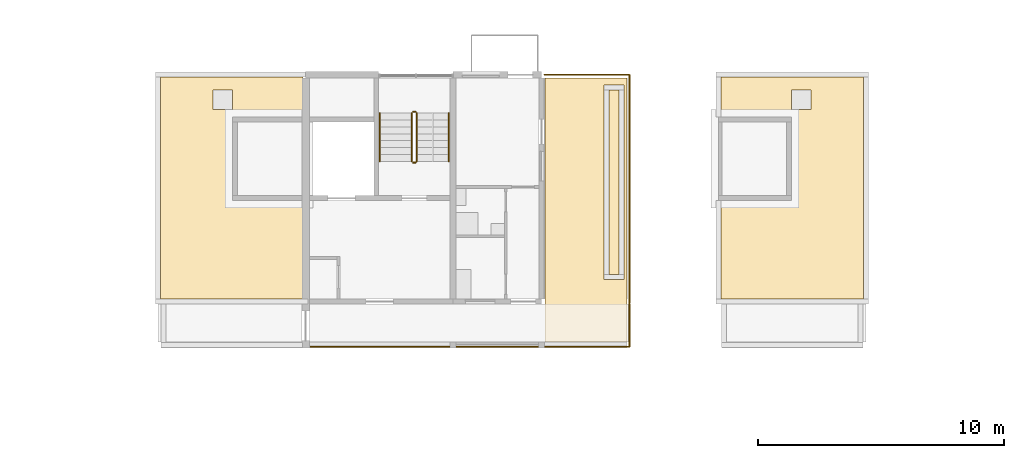
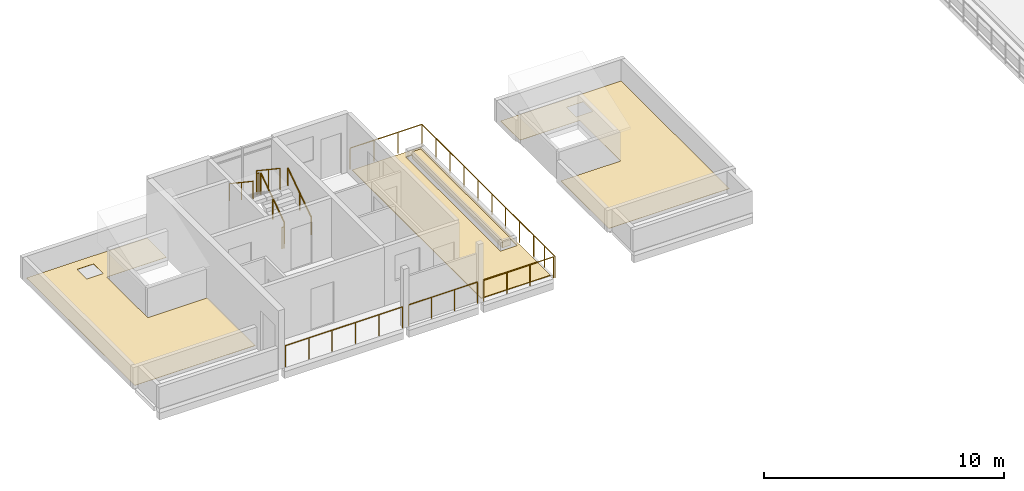
# One storey, part 72 of 87: 11 railings, 5 coverings.
"""IFC4 building model written with IfcOpenShell, lengths in metres."""

from ifc_helpers import new_model, si_unit, direction, frame, origin, origin_2d, place, context, subcontext, project, spatial, polyline, circle, outline, extrude, material, layer, layer_set, type_object, element, save


model = new_model("IFC4")

# Units and contexts
model_context = context("Model", 3, precision=1e-05, world=origin(), true_north=direction((0.0, 1.0)))
body_context = subcontext(model_context, "Body", "Model", "MODEL_VIEW")
ifc_project = project(units=[si_unit("LENGTHUNIT", "METRE"), si_unit("AREAUNIT", "SQUARE_METRE"), si_unit("VOLUMEUNIT", "CUBIC_METRE"), si_unit("PLANEANGLEUNIT", "RADIAN"), si_unit("MASSUNIT", "GRAM", prefix="KILO")], contexts=[model_context])

# Site, building, storey
site_placement = place(None, origin())
site = spatial("IfcSite", under=ifc_project, at=site_placement, CompositionType="ELEMENT")
building_placement = place(site_placement, origin())
building = spatial("IfcBuilding", under=site, at=building_placement, Name="Ridgestep Commons", CompositionType="ELEMENT")
storey_placement = place(building_placement, frame((0.0, 0.0, 27.0)))
storey = spatial("IfcBuildingStorey", under=building, at=storey_placement, Name="L09", CompositionType="ELEMENT", Elevation=27.0)

# Railings
ifc_material_1 = material(Name="Structural steel S355JR", Category="steel")
railing_type_1 = type_object("IfcRailingType", Name="Guard 1100", PredefinedType="GUARDRAIL", material=ifc_material_1)
railing_1_placement = place(storey_placement, frame((41.97900390625, 67.821044921875, 0.0)))
element("IfcRailing", 1, at=railing_1_placement, inside=storey, type_object=railing_type_1, Name="Guard TD-B2R2-GD", PredefinedType="GUARDRAIL", context=body_context, shape_type="SweptSolid", body=[
    extrude(circle(Radius=0.02392578125, at=origin_2d()), frame((0.0, 0.0, 1.076171875), z_axis=(0.0, 1.0, 0.0), x_axis=(-1.0, 0.0, 0.0)), (0.0, 0.0, 1.0), 9.303955078125),
    extrude(circle(Radius=0.02392578125, at=origin_2d()), frame((0.0, 9.303955078125, 1.076171875), z_axis=(-1.0, 0.0, 0.0), x_axis=(0.0, -1.0, 0.0)), (0.0, 0.0, 1.0), 3.4580078125),
    extrude(circle(Radius=0.02099609375, at=origin_2d()), origin(), (0.0, 0.0, 1.0), 1.052001953125),
    extrude(circle(Radius=0.02099609375, at=origin_2d()), frame((0.0, 1.1630859375, 0.0)), (0.0, 0.0, 1.0), 1.052001953125),
    extrude(circle(Radius=0.02099609375, at=origin_2d()), frame((0.0, 2.325927734375, 0.0)), (0.0, 0.0, 1.0), 1.052001953125),
    extrude(circle(Radius=0.02099609375, at=origin_2d()), frame((0.0, 3.489013671875, 0.0)), (0.0, 0.0, 1.0), 1.052001953125),
    extrude(circle(Radius=0.02099609375, at=origin_2d()), frame((0.0, 4.65185546875, 0.0)), (0.0, 0.0, 1.0), 1.052001953125),
    extrude(circle(Radius=0.02099609375, at=origin_2d()), frame((0.0, 5.81494140625, 0.0)), (0.0, 0.0, 1.0), 1.052001953125),
    extrude(circle(Radius=0.02099609375, at=origin_2d()), frame((0.0, 6.97802734375, 0.0)), (0.0, 0.0, 1.0), 1.052001953125),
    extrude(circle(Radius=0.02099609375, at=origin_2d()), frame((0.0, 8.140869140625, 0.0)), (0.0, 0.0, 1.0), 1.052001953125),
    extrude(circle(Radius=0.02099609375, at=origin_2d()), frame((0.0, 9.303955078125, 0.0)), (0.0, 0.0, 1.0), 1.052001953125),
    extrude(circle(Radius=0.02099609375, at=origin_2d()), frame((-1.152587890625, 9.303955078125, 0.0)), (0.0, 0.0, 1.0), 1.052001953125),
    extrude(circle(Radius=0.02099609375, at=origin_2d()), frame((-2.305419921875, 9.303955078125, 0.0)), (0.0, 0.0, 1.0), 1.052001953125),
    extrude(circle(Radius=0.02099609375, at=origin_2d()), frame((-3.4580078125, 9.303955078125, 0.0)), (0.0, 0.0, 1.0), 1.052001953125),
])
railing_2_placement = place(storey_placement, frame((29.010986328125, 66.050048828125, 0.0)))
element("IfcRailing", 2, at=railing_2_placement, inside=storey, type_object=railing_type_1, Name="Gallery guard B 09.2", PredefinedType="GUARDRAIL", context=body_context, shape_type="SweptSolid", body=[
    extrude(circle(Radius=0.02392578125, at=origin_2d()), frame((0.0, 0.0, 1.076171875), z_axis=(1.0, 0.0, 0.0), x_axis=(0.0, 1.0, 0.0)), (0.0, 0.0, 1.0), 5.64306640625),
    extrude(circle(Radius=0.02099609375, at=origin_2d()), origin(), (0.0, 0.0, 1.0), 1.052001953125),
    extrude(circle(Radius=0.02099609375, at=origin_2d()), frame((1.128662109375, 0.0, 0.0)), (0.0, 0.0, 1.0), 1.052001953125),
    extrude(circle(Radius=0.02099609375, at=origin_2d()), frame((2.25732421875, 0.0, 0.0)), (0.0, 0.0, 1.0), 1.052001953125),
    extrude(circle(Radius=0.02099609375, at=origin_2d()), frame((3.3857421875, 0.0, 0.0)), (0.0, 0.0, 1.0), 1.052001953125),
    extrude(circle(Radius=0.02099609375, at=origin_2d()), frame((4.514404296875, 0.0, 0.0)), (0.0, 0.0, 1.0), 1.052001953125),
    extrude(circle(Radius=0.02099609375, at=origin_2d()), frame((5.64306640625, 0.0, 0.0)), (0.0, 0.0, 1.0), 1.052001953125),
])
railing_3_placement = place(storey_placement, frame((34.946044921875, 66.050048828125, 0.0)))
element("IfcRailing", 3, at=railing_3_placement, inside=storey, type_object=railing_type_1, Name="Gallery guard B 09.3", PredefinedType="GUARDRAIL", context=body_context, shape_type="SweptSolid", body=[
    extrude(circle(Radius=0.02392578125, at=origin_2d()), frame((0.0, 0.0, 1.076171875), z_axis=(1.0, 0.0, 0.0), x_axis=(0.0, 1.0, 0.0)), (0.0, 0.0, 1.0), 3.307861328125),
    extrude(circle(Radius=0.02099609375, at=origin_2d()), origin(), (0.0, 0.0, 1.0), 1.052001953125),
    extrude(circle(Radius=0.02099609375, at=origin_2d()), frame((1.1025390625, 0.0, 0.0)), (0.0, 0.0, 1.0), 1.052001953125),
    extrude(circle(Radius=0.02099609375, at=origin_2d()), frame((2.205322265625, 0.0, 0.0)), (0.0, 0.0, 1.0), 1.052001953125),
    extrude(circle(Radius=0.02099609375, at=origin_2d()), frame((3.307861328125, 0.0, 0.0)), (0.0, 0.0, 1.0), 1.052001953125),
])
railing_4_placement = place(storey_placement, frame((38.5458984375, 66.050048828125, 0.0)))
element("IfcRailing", 4, at=railing_4_placement, inside=storey, type_object=railing_type_1, Name="Gallery guard B 09.4", PredefinedType="GUARDRAIL", context=body_context, shape_type="SweptSolid", body=[
    extrude(circle(Radius=0.02392578125, at=origin_2d()), frame((0.0, 0.0, 1.076171875), z_axis=(1.0, 0.0, 0.0), x_axis=(0.0, 1.0, 0.0)), (0.0, 0.0, 1.0), 3.3701171875),
    extrude(circle(Radius=0.02099609375, at=origin_2d()), origin(), (0.0, 0.0, 1.0), 1.052001953125),
    extrude(circle(Radius=0.02099609375, at=origin_2d()), frame((1.123291015625, 0.0, 0.0)), (0.0, 0.0, 1.0), 1.052001953125),
    extrude(circle(Radius=0.02099609375, at=origin_2d()), frame((2.246826171875, 0.0, 0.0)), (0.0, 0.0, 1.0), 1.052001953125),
    extrude(circle(Radius=0.02099609375, at=origin_2d()), frame((3.3701171875, 0.0, 0.0)), (0.0, 0.0, 1.0), 1.052001953125),
])
railing_5_placement = place(storey_placement, frame((41.97900390625, 66.050048828125, 0.0)))
element("IfcRailing", 5, at=railing_5_placement, inside=storey, type_object=railing_type_1, Name="Gallery end guard B 09.4E", PredefinedType="GUARDRAIL", context=body_context, shape_type="SweptSolid", body=[
    extrude(circle(Radius=0.02392578125, at=origin_2d()), frame((0.0, 0.0, 1.076171875), z_axis=(0.0, 1.0, 0.0), x_axis=(-1.0, 0.0, 0.0)), (0.0, 0.0, 1.0), 1.72900390625),
    extrude(circle(Radius=0.02099609375, at=origin_2d()), origin(), (0.0, 0.0, 1.0), 1.052001953125),
    extrude(circle(Radius=0.02099609375, at=origin_2d()), frame((0.0, 0.864501953125, 0.0)), (0.0, 0.0, 1.0), 1.052001953125),
    extrude(circle(Radius=0.02099609375, at=origin_2d()), frame((0.0, 1.72900390625, 0.0)), (0.0, 0.0, 1.0), 1.052001953125),
])

# Coverings
ifc_material_2 = material(Name="Planting soil")
ifc_layer_1 = layer(ifc_material_2, 0.35009765625)
ifc_layer_set_1 = layer_set([ifc_layer_1], Name="Planting soil 350")
covering_type_1 = type_object("IfcCoveringType", Name="Planting soil 350", PredefinedType="FLOORING", material=ifc_layer_set_1)
covering_1_placement = place(storey_placement, frame((0.0, 0.0, 0.010009765625)))
element("IfcCovering", 6, at=covering_1_placement, inside=storey, type_object=covering_type_1, Name="Planting soil B2R2", PredefinedType="FLOORING", context=body_context, shape_type="SweptSolid", body=[
    extrude(outline(polyline([(41.14990234375, 69.0), (41.550048828125, 69.0), (41.550048828125, 76.5), (41.14990234375, 76.5), (41.14990234375, 69.0)])), origin(), (0.0, 0.0, 1.0), 0.35009765625),
])
ifc_material_3 = material(Name="Bitumen membrane, two layer")
ifc_layer_2 = layer(ifc_material_3, 0.011962890625)
ifc_layer_set_2 = layer_set([ifc_layer_2], Name="Roof membrane 12")
covering_type_2 = type_object("IfcCoveringType", Name="Roof membrane 12", PredefinedType="ROOFING", material=ifc_layer_set_2)
covering_2_placement = place(storey_placement, origin())
element("IfcCovering", 7, at=covering_2_placement, inside=storey, type_object=covering_type_2, Name="Roof membrane B1C", PredefinedType="ROOFING", context=body_context, shape_type="SweptSolid", body=[
    extrude(outline(polyline([(22.89990234375, 68.0), (22.89990234375, 77.02490234375), (28.699951171875, 77.02490234375), (28.699951171875, 75.39990234375), (25.824951171875, 75.39990234375), (25.824951171875, 72.0), (28.699951171875, 72.0), (28.699951171875, 68.0), (22.89990234375, 68.0)]), holes=[polyline([(25.824951171875, 76.5), (25.02490234375, 76.5), (25.02490234375, 75.699951171875), (25.824951171875, 75.699951171875), (25.824951171875, 76.5)])]), origin(), (0.0, 0.0, 1.0), 0.011962890625),
])
covering_3_placement = place(storey_placement, origin())
element("IfcCovering", 8, at=covering_3_placement, inside=storey, type_object=covering_type_2, Name="Roof membrane B3C", PredefinedType="ROOFING", context=body_context, shape_type="SweptSolid", body=[
    extrude(outline(polyline([(51.5, 77.02490234375), (51.5, 68.0), (45.699951171875, 68.0), (45.699951171875, 72.0), (48.574951171875, 72.0), (48.574951171875, 75.39990234375), (45.699951171875, 75.39990234375), (45.699951171875, 77.02490234375), (51.5, 77.02490234375)]), holes=[polyline([(49.375, 76.5), (48.574951171875, 76.5), (48.574951171875, 75.699951171875), (49.375, 75.699951171875), (49.375, 76.5)])]), origin(), (0.0, 0.0, 1.0), 0.011962890625),
])

# Railings
ifc_material_4 = material(Name="Structural steel S355JR", Category="steel")
railing_type_2 = type_object("IfcRailingType", Name="Stair guard 1100", PredefinedType="GUARDRAIL", material=ifc_material_4)
railing_6_placement = place(storey_placement, frame((33.324951171875, 73.60009765625, 0.1875)))
element("IfcRailing", 9, at=railing_6_placement, inside=storey, type_object=railing_type_2, Name="L09 B2C stair guard 1", PredefinedType="GUARDRAIL", context=body_context, shape_type="SweptSolid", body=[
    extrude(circle(Radius=0.02392578125, at=origin_2d()), frame((0.0, 0.0, 1.076171875), z_axis=(0.0, 0.830902050051, 0.556418712142), x_axis=(-1.0, 0.0, 0.0)), (0.0, 0.0, 1.0), 2.35888671875),
    extrude(circle(Radius=0.02099609375, at=origin_2d()), origin(), (0.0, 0.0, 1.0), 1.052001953125),
    extrude(circle(Radius=0.02099609375, at=origin_2d()), frame((0.0, 0.97998046875, 0.65625)), (0.0, 0.0, 1.0), 1.052001953125),
    extrude(circle(Radius=0.02099609375, at=origin_2d()), frame((0.0, 1.9599609375, 1.3125)), (0.0, 0.0, 1.0), 1.052001953125),
])
railing_7_placement = place(storey_placement, frame((33.27490234375, 75.610107421875, 1.5)))
element("IfcRailing", 10, at=railing_7_placement, inside=storey, type_object=railing_type_2, Name="L09 B2C stair guard 2", PredefinedType="GUARDRAIL", context=body_context, shape_type="SweptSolid", body=[
    extrude(circle(Radius=0.02392578125, at=origin_2d()), frame((0.0, 0.0, 1.076171875), z_axis=(-1.0, 0.0, 0.0), x_axis=(0.0, -1.0, 0.0)), (0.0, 0.0, 1.0), 0.099853515625),
    extrude(circle(Radius=0.02099609375, at=origin_2d()), origin(), (0.0, 0.0, 1.0), 1.052001953125),
    extrude(circle(Radius=0.02099609375, at=origin_2d()), frame((-0.099853515625, 0.0, 0.0)), (0.0, 0.0, 1.0), 1.052001953125),
])
railing_8_placement = place(storey_placement, frame((33.125, 75.56005859375, 1.6875)))
element("IfcRailing", 11, at=railing_8_placement, inside=storey, type_object=railing_type_2, Name="L09 B2C stair guard 3", PredefinedType="GUARDRAIL", context=body_context, shape_type="SweptSolid", body=[
    extrude(circle(Radius=0.02392578125, at=origin_2d()), frame((0.0, 0.0, 1.076171875), z_axis=(0.0, -0.830902050051, 0.556418712142), x_axis=(1.0, 0.0, 0.0)), (0.0, 0.0, 1.0), 2.35888671875),
    extrude(circle(Radius=0.02099609375, at=origin_2d()), origin(), (0.0, 0.0, 1.0), 1.052001953125),
    extrude(circle(Radius=0.02099609375, at=origin_2d()), frame((0.0, -0.97998046875, 0.65625)), (0.0, 0.0, 1.0), 1.052001953125),
    extrude(circle(Radius=0.02099609375, at=origin_2d()), frame((0.0, -1.9599609375, 1.3125)), (0.0, 0.0, 1.0), 1.052001953125),
])
railing_9_placement = place(storey_placement, frame((33.27490234375, 73.550048828125, 0.0)))
element("IfcRailing", 12, at=railing_9_placement, inside=storey, type_object=railing_type_2, Name="L09 B2C stair guard 4", PredefinedType="GUARDRAIL", context=body_context, shape_type="SweptSolid", body=[
    extrude(circle(Radius=0.02392578125, at=origin_2d()), frame((0.0, 0.0, 1.076171875), z_axis=(-1.0, 0.0, 0.0), x_axis=(0.0, -1.0, 0.0)), (0.0, 0.0, 1.0), 0.099853515625),
    extrude(circle(Radius=0.02099609375, at=origin_2d()), origin(), (0.0, 0.0, 1.0), 1.052001953125),
    extrude(circle(Radius=0.02099609375, at=origin_2d()), frame((-0.099853515625, 0.0, 0.0)), (0.0, 0.0, 1.0), 1.052001953125),
])
ifc_material_5 = material(Name="Structural steel S355JR", Category="steel")
railing_type_3 = type_object("IfcRailingType", Name="Stair handrail 900", PredefinedType="HANDRAIL", material=ifc_material_5)
railing_10_placement = place(storey_placement, frame((34.625, 73.60009765625, 0.1875)))
element("IfcRailing", 13, at=railing_10_placement, inside=storey, type_object=railing_type_3, Name="L09 B2C stair handrail 1", PredefinedType="HANDRAIL", context=body_context, shape_type="SweptSolid", body=[
    extrude(circle(Radius=0.02392578125, at=origin_2d()), frame((0.0, 0.0, 0.8759765625), z_axis=(0.0, 0.830902050051, 0.556418712142), x_axis=(-1.0, 0.0, 0.0)), (0.0, 0.0, 1.0), 2.35888671875),
    extrude(circle(Radius=0.02099609375, at=origin_2d()), origin(), (0.0, 0.0, 1.0), 0.851806640625),
    extrude(circle(Radius=0.02099609375, at=origin_2d()), frame((0.0, 0.97998046875, 0.65625)), (0.0, 0.0, 1.0), 0.851806640625),
    extrude(circle(Radius=0.02099609375, at=origin_2d()), frame((0.0, 1.9599609375, 1.3125)), (0.0, 0.0, 1.0), 0.851806640625),
])
railing_11_placement = place(storey_placement, frame((31.824951171875, 75.56005859375, 1.6875)))
element("IfcRailing", 14, at=railing_11_placement, inside=storey, type_object=railing_type_3, Name="L09 B2C stair handrail 2", PredefinedType="HANDRAIL", context=body_context, shape_type="SweptSolid", body=[
    extrude(circle(Radius=0.02392578125, at=origin_2d()), frame((0.0, 0.0, 0.8759765625), z_axis=(0.0, -0.830902050051, 0.556418712142), x_axis=(1.0, 0.0, 0.0)), (0.0, 0.0, 1.0), 2.35888671875),
    extrude(circle(Radius=0.02099609375, at=origin_2d()), origin(), (0.0, 0.0, 1.0), 0.851806640625),
    extrude(circle(Radius=0.02099609375, at=origin_2d()), frame((0.0, -0.97998046875, 0.65625)), (0.0, 0.0, 1.0), 0.851806640625),
    extrude(circle(Radius=0.02099609375, at=origin_2d()), frame((0.0, -1.9599609375, 1.3125)), (0.0, 0.0, 1.0), 0.851806640625),
])

# Coverings
ifc_material_6 = material(Name="Bitumen membrane, two layer")
ifc_layer_3 = layer(ifc_material_6, 0.010009765625)
ifc_layer_set_3 = layer_set([ifc_layer_3], Name="Terrace membrane 10")
covering_type_3 = type_object("IfcCoveringType", Name="Terrace membrane 10", PredefinedType="ROOFING", material=ifc_layer_set_3)
covering_4_placement = place(storey_placement, origin())
element("IfcCovering", 15, at=covering_4_placement, inside=storey, type_object=covering_type_3, Name="Terrace membrane B2R2", PredefinedType="ROOFING", context=body_context, shape_type="SweptSolid", body=[
    extrude(outline(polyline([(41.875, 66.25), (41.875, 77.0), (38.550048828125, 77.0), (38.550048828125, 66.25), (41.875, 66.25)]), holes=[polyline([(41.75, 68.800048828125), (41.75, 76.699951171875), (40.949951171875, 76.699951171875), (40.949951171875, 68.800048828125), (41.75, 68.800048828125)])]), origin(), (0.0, 0.0, 1.0), 0.010009765625),
])
ifc_material_7 = material(Name="Concrete paving slab", Category="concrete")
ifc_layer_4 = layer(ifc_material_7, 0.030029296875)
ifc_layer_set_4 = layer_set([ifc_layer_4], Name="Terrace paving 30")
covering_type_4 = type_object("IfcCoveringType", Name="Terrace paving 30", PredefinedType="FLOORING", material=ifc_layer_set_4)
covering_5_placement = place(storey_placement, frame((0.0, 0.0, 0.010009765625)))
element("IfcCovering", 16, at=covering_5_placement, inside=storey, type_object=covering_type_4, Name="Terrace paving B2R2", PredefinedType="FLOORING", context=body_context, shape_type="SweptSolid", body=[
    extrude(outline(polyline([(41.875, 66.25), (41.875, 77.0), (38.550048828125, 77.0), (38.550048828125, 66.25), (41.875, 66.25)]), holes=[polyline([(41.75, 68.800048828125), (41.75, 76.699951171875), (40.949951171875, 76.699951171875), (40.949951171875, 68.800048828125), (41.75, 68.800048828125)])]), origin(), (0.0, 0.0, 1.0), 0.030029296875),
])

save(model, "model.ifc")
